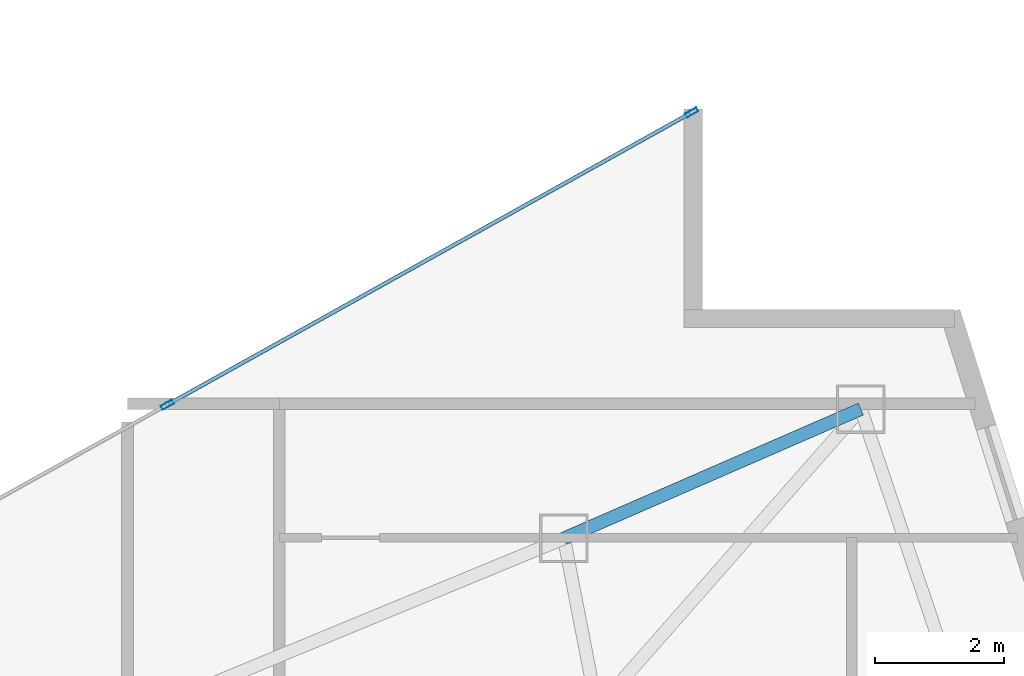
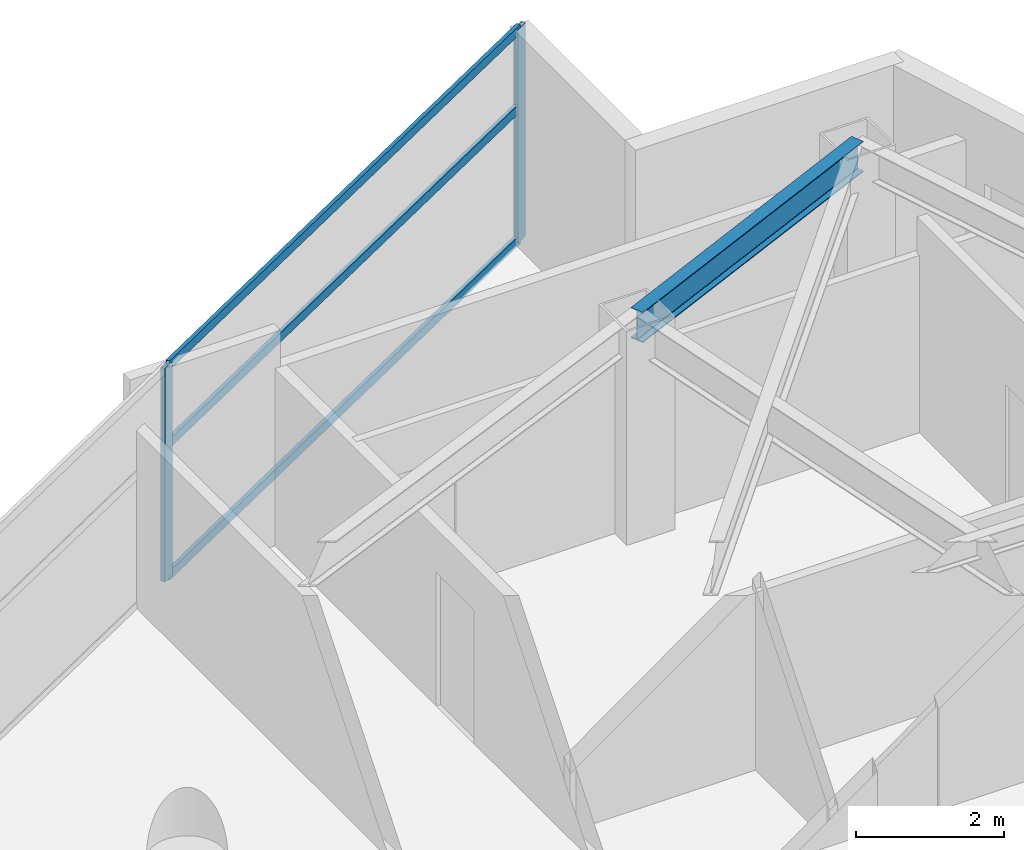
# One storey, part 20 of 28: 5 members, 1 beam, 1 element without a shape of its own.
"""IFC4 building model written with IfcOpenShell, lengths in metres."""

from ifc_helpers import new_model, si_unit, direction, frame, origin, origin_2d, place, context, subcontext, project, spatial, hollow_rectangle, i_section, extrude, material, layer, layer_set, material_profile, profile_set, type_object, element, aggregate, save


model = new_model("IFC4")

# Units and contexts
model_context = context("Model", 3, precision=1e-05, world=origin(), true_north=direction((0.0, 1.0)))
body_context = subcontext(model_context, "Body", "Model", "MODEL_VIEW")
ifc_project = project(units=[si_unit("LENGTHUNIT", "METRE"), si_unit("AREAUNIT", "SQUARE_METRE"), si_unit("VOLUMEUNIT", "CUBIC_METRE"), si_unit("PLANEANGLEUNIT", "RADIAN"), si_unit("MASSUNIT", "GRAM", prefix="KILO")], contexts=[model_context])

# Site, building, storey
site_placement = place(None, origin())
site = spatial("IfcSite", under=ifc_project, at=site_placement, CompositionType="ELEMENT")
building_placement = place(site_placement, origin())
building = spatial("IfcBuilding", under=site, at=building_placement, Name="Calvorn Quay Hotel", CompositionType="ELEMENT")
storey_placement = place(building_placement, frame((0.0, 0.0, 182.699951171875)))
storey = spatial("IfcBuildingStorey", under=building, at=storey_placement, Name="L45", CompositionType="ELEMENT", Elevation=182.699951171875)

# Beam
ifc_material_1 = material(Name="Steel Q355B", Category="steel")
ifc_material_profile_1 = material_profile(ifc_material_1, i_section(OverallWidth=0.199951171875, OverallDepth=0.5, WebThickness=0.010009765625, FlangeThickness=0.01611328125, FilletRadius=0.01611328125, at=origin_2d()), Name="HN500x200x10x16")
ifc_profile_set_1 = profile_set([ifc_material_profile_1], Name="Steel Q355B")
beam_type = type_object("IfcBeamType", Name="BM-SPANDREL-Z1", PredefinedType="SPANDREL", material=ifc_profile_set_1)
beam_placement = place(storey_placement, frame((48.591064453125, 33.39990234375, 3.27001953125), z_axis=(-0.916786146489, -0.399378469132, 0.0), x_axis=(0.399378469132, -0.916786146489, 0.0)))
element("IfcBeam", 1, at=beam_placement, inside=storey, type_object=beam_type, Name="Beam BSP-L45-E3", PredefinedType="SPANDREL", context=body_context, shape_type="SweptSolid", body=[
    extrude(i_section(OverallWidth=0.199951171875, OverallDepth=0.5, WebThickness=0.010009765625, FlangeThickness=0.01611328125, FilletRadius=0.01611328125, at=origin_2d()), origin(), (0.0, 0.0, 1.0), 5.0078125),
])

# Curtain wall, members
ifc_material_2 = material(Name="Pale Anodised Aluminium and Low-E Glass", Category="aluminium")
ifc_layer = layer(ifc_material_2, 0.219970703125)
ifc_layer_set = layer_set([ifc_layer], Name="CW-SYS-Z2")
curtain_wall_type = type_object("IfcCurtainWallType", Name="CW-SYS-Z2", PredefinedType="NOTDEFINED", material=ifc_layer_set)
curtain_wall_placement = place(storey_placement, origin())
curtain_wall = element("IfcCurtainWall", 2, at=curtain_wall_placement, inside=storey, type_object=curtain_wall_type, Name="Inner Court Curtain Wall L45-NE1", PredefinedType="NOTDEFINED")
ifc_material_3 = material(Name="Pale Anodised Aluminium 6063-T6", Category="aluminium")
ifc_material_profile_2 = material_profile(ifc_material_3, hollow_rectangle(XDim=0.070068359375, YDim=0.199951171875, WallThickness=0.00390625, at=origin_2d()), Name="ALU-M200x70x4")
ifc_profile_set_2 = profile_set([ifc_material_profile_2], Name="Pale Anodised Aluminium 6063-T6")
member_type_1 = type_object("IfcMemberType", Name="CW-SYS-Z2-MUL", PredefinedType="MULLION", material=ifc_profile_set_2)
member_1_placement = place(storey_placement, frame((45.973876953125, 37.9853515625, 0.0), z_axis=(0.0, 0.0, 1.0), x_axis=(0.486858256224, -0.873480989116, 0.0)))
member_1 = element("IfcMember", 3, at=member_1_placement, type_object=member_type_1, Name="CW-L45-NE1 mullion 1", PredefinedType="MULLION", context=body_context, shape_type="SweptSolid", body=[
    extrude(hollow_rectangle(XDim=0.070068359375, YDim=0.199951171875, WallThickness=0.00390625, at=origin_2d()), origin(), (0.0, 0.0, 1.0), 3.52001953125),
])
member_2_placement = place(storey_placement, frame((37.86669921875, 33.466552734375, 0.0), z_axis=(0.0, 0.0, 1.0), x_axis=(0.486858256224, -0.873480989116, 0.0)))
member_2 = element("IfcMember", 4, at=member_2_placement, type_object=member_type_1, Name="CW-L45-NE1 mullion 2", PredefinedType="MULLION", context=body_context, shape_type="SweptSolid", body=[
    extrude(hollow_rectangle(XDim=0.070068359375, YDim=0.199951171875, WallThickness=0.00390625, at=origin_2d()), origin(), (0.0, 0.0, 1.0), 3.52001953125),
])
ifc_material_4 = material(Name="Pale Anodised Aluminium 6063-T6", Category="aluminium")
ifc_material_profile_3 = material_profile(ifc_material_4, hollow_rectangle(XDim=0.06005859375, YDim=0.14990234375, WallThickness=0.00341796875, at=origin_2d()), Name="ALU-T150x60x3.5")
ifc_profile_set_3 = profile_set([ifc_material_profile_3], Name="Pale Anodised Aluminium 6063-T6")
member_type_2 = type_object("IfcMemberType", Name="CW-SYS-Z2-TRN", PredefinedType="USERDEFINED", material=ifc_profile_set_3)
member_3_placement = place(storey_placement, frame((45.947509765625, 37.970703125, 0.030029296875), z_axis=(-0.87348080454, -0.486858587375, 0.0), x_axis=(0.486858587375, -0.87348080454, 0.0)))
member_3 = element("IfcMember", 5, at=member_3_placement, type_object=member_type_2, Name="CW-L45-NE1 transom 1.1", ObjectType="TRANSOM", PredefinedType="USERDEFINED", context=body_context, shape_type="SweptSolid", body=[
    extrude(hollow_rectangle(XDim=0.06005859375, YDim=0.14990234375, WallThickness=0.00341796875, at=origin_2d()), origin(), (0.0, 0.0, 1.0), 9.221435546875),
])
member_4_placement = place(storey_placement, frame((45.947509765625, 37.970703125, 2.199951171875), z_axis=(-0.87348080454, -0.486858587375, 0.0), x_axis=(0.486858587375, -0.87348080454, 0.0)))
member_4 = element("IfcMember", 6, at=member_4_placement, type_object=member_type_2, Name="CW-L45-NE1 transom 1.2", ObjectType="TRANSOM", PredefinedType="USERDEFINED", context=body_context, shape_type="SweptSolid", body=[
    extrude(hollow_rectangle(XDim=0.06005859375, YDim=0.14990234375, WallThickness=0.00341796875, at=origin_2d()), origin(), (0.0, 0.0, 1.0), 9.221435546875),
])
member_5_placement = place(storey_placement, frame((45.947509765625, 37.970703125, 3.489990234375), z_axis=(-0.87348080454, -0.486858587375, 0.0), x_axis=(0.486858587375, -0.87348080454, 0.0)))
member_5 = element("IfcMember", 7, at=member_5_placement, type_object=member_type_2, Name="CW-L45-NE1 transom 1.3", ObjectType="TRANSOM", PredefinedType="USERDEFINED", context=body_context, shape_type="SweptSolid", body=[
    extrude(hollow_rectangle(XDim=0.06005859375, YDim=0.14990234375, WallThickness=0.00341796875, at=origin_2d()), origin(), (0.0, 0.0, 1.0), 9.221435546875),
])
aggregate(curtain_wall, [member_1, member_2, member_3, member_4, member_5])

save(model, "model.ifc")
